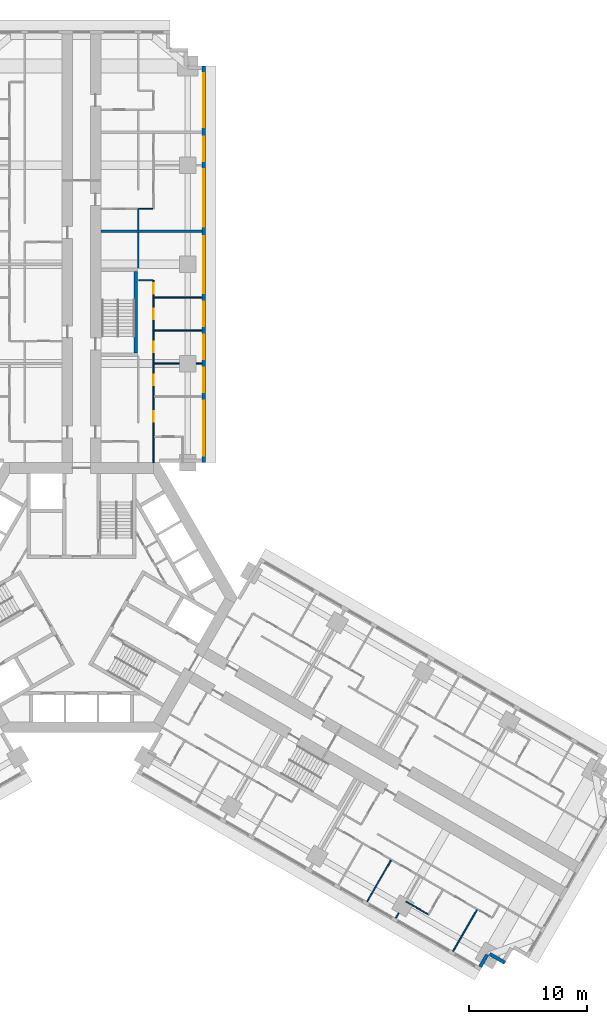
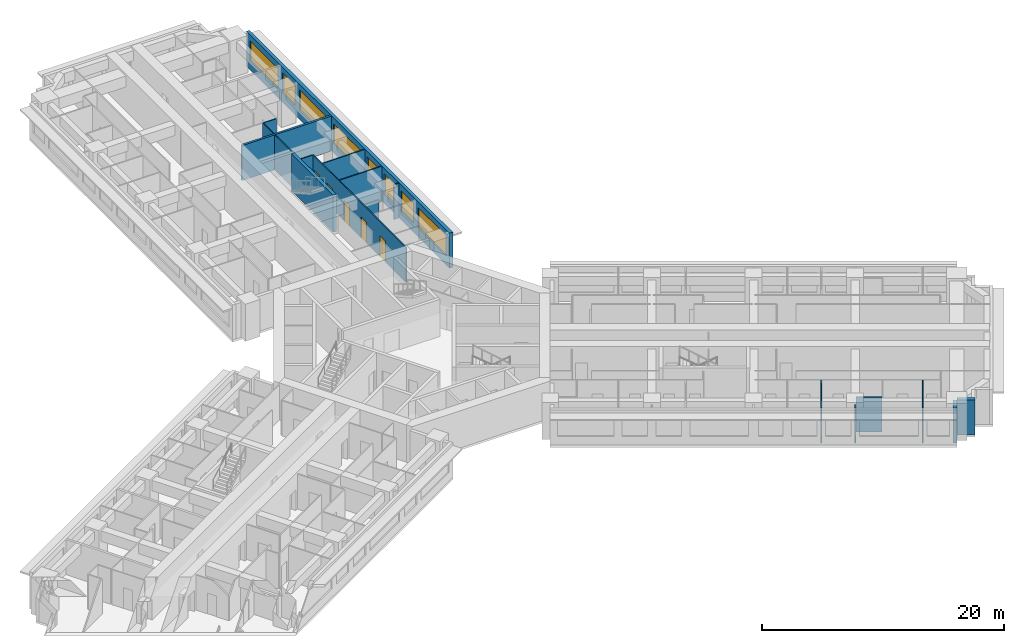
# One storey, part 10 of 15: 18 walls, 8 windows, 5 doors, 13 openings.
"""IFC4 building model written with IfcOpenShell, lengths in metres."""

import ifcopenshell
import ifcopenshell.guid

model = None  # the IFC model being written
_history = None  # IfcOwnerHistory: only IFC2X3 demands one
_inside = {}  # id of a spatial element -> (the spatial element, [elements in it])
_under = {}  # id of a project, library or spatial element -> (it, [spatial elements below it])
_declared = {}  # id of a project -> (the project, [libraries it declares])
_typed = {}  # id of a type object -> (the type object, [elements of that type])
_made_of = {}  # id of a material, layer set ... -> (it, [elements and type objects made of it])


def new_model(schema):
    """Start an empty IFC model of exactly this schema.

    Asked for "IFC4X3", IfcOpenShell would pick the latest addendum, in which some entities
    have other attributes; the version numbers below select the first issue.
    IFC2X3 requires an IfcOwnerHistory on every rooted entity: one is made here for all.
    """
    global model, _history
    if schema == "IFC4X3":
        model = ifcopenshell.file(schema_version=(4, 3, 0, 0))
    else:
        model = ifcopenshell.file(schema=schema)
    _inside.clear()
    _under.clear()
    _declared.clear()
    _typed.clear()
    _made_of.clear()
    _history = None
    if model.schema == "IFC2X3":
        org = make("IfcOrganization", Name="unknown")
        user = make(
            "IfcPersonAndOrganization",
            ThePerson=make("IfcPerson", FamilyName="unknown"),
            TheOrganization=org,
        )
        app = make(
            "IfcApplication",
            ApplicationDeveloper=org,
            Version="unknown",
            ApplicationFullName="unknown",
            ApplicationIdentifier="unknown",
        )
        _history = make(
            "IfcOwnerHistory",
            OwningUser=user,
            OwningApplication=app,
            ChangeAction="ADDED",
            CreationDate=0,
        )
    return model


def make(cls, **values):
    """One entity of the class cls with the attributes given. An attribute that is None is left unset."""
    return model.create_entity(
        cls, **{name: value for name, value in values.items() if value is not None}
    )


def rooted(cls, **values):
    """An entity with a GlobalId (a new one), such as an element, a storey or a relation."""
    return make(cls, GlobalId=ifcopenshell.guid.new(), OwnerHistory=_history, **values)


def si_unit(unit_type, name, prefix=None):
    """IfcSIUnit, for example si_unit("LENGTHUNIT", "METRE", prefix="MILLI")."""
    return make("IfcSIUnit", UnitType=unit_type, Prefix=prefix, Name=name)


def assignment(units):
    """IfcUnitAssignment: the units of a project."""
    return None if units is None else make("IfcUnitAssignment", Units=units)


def point(xyz):
    """IfcCartesianPoint."""
    return None if xyz is None else make("IfcCartesianPoint", Coordinates=xyz)


def direction(xyz):
    """IfcDirection."""
    return None if xyz is None else make("IfcDirection", DirectionRatios=xyz)


def frame(location, z_axis=None, x_axis=None):
    """IfcAxis2Placement3D, a coordinate frame: its origin and axes. An axis left out is left unset."""
    return make(
        "IfcAxis2Placement3D",
        Location=point(location),
        Axis=direction(z_axis),
        RefDirection=direction(x_axis),
    )


def frame_2d(location, x_axis=None):
    """IfcAxis2Placement2D, a coordinate frame in the plane: its origin and x axis."""
    return make(
        "IfcAxis2Placement2D", Location=point(location), RefDirection=direction(x_axis)
    )


def origin():
    """The frame at (0, 0, 0) with its axes left unset."""
    return frame((0.0, 0.0, 0.0))


def place(relative_to, where):
    """IfcLocalPlacement: puts the frame where relative to a parent placement (None: the world)."""
    return make(
        "IfcLocalPlacement", PlacementRelTo=relative_to, RelativePlacement=where
    )


def context(
    kind, dimensions, precision=None, world=None, true_north=None, identifier=None
):
    """IfcGeometricRepresentationContext, for example the 3D "Model" context."""
    return make(
        "IfcGeometricRepresentationContext",
        ContextIdentifier=identifier,
        ContextType=kind,
        CoordinateSpaceDimension=dimensions,
        Precision=precision,
        WorldCoordinateSystem=world,
        TrueNorth=true_north,
    )


def subcontext(parent, identifier, kind, view, scale=None):
    """IfcGeometricRepresentationSubContext, for example "Body" below "Model"."""
    return make(
        "IfcGeometricRepresentationSubContext",
        ContextIdentifier=identifier,
        ContextType=kind,
        ParentContext=parent,
        TargetScale=scale,
        TargetView=view,
    )


def project(units=None, contexts=None):
    """IfcProject with its units and contexts."""
    return rooted(
        "IfcProject",
        Name="project",
        RepresentationContexts=contexts,
        UnitsInContext=assignment(units),
    )


def spatial(cls, under=None, at=None, **own):
    """A site, building, storey or space (cls), placed at a placement, below another one or the project."""
    s = rooted(cls, ObjectPlacement=at, **own)
    if under is not None:
        _under.setdefault(under.id(), (under, []))[1].append(s)
    return s


def profile(cls, at=None, kind="AREA", **sizes):
    """A parametric profile (cls). Its sizes go by their IFC names, for example OverallWidth=200.0."""
    return make(cls, ProfileType=kind, Position=at, **sizes)


def rectangle(**sizes):
    """IfcRectangleProfileDef."""
    return profile("IfcRectangleProfileDef", **sizes)


def extrude(swept, where, along, depth):
    """IfcExtrudedAreaSolid: the profile swept, set in the frame where, extruded along a direction by depth."""
    return make(
        "IfcExtrudedAreaSolid",
        SweptArea=swept,
        Position=where,
        ExtrudedDirection=direction(along),
        Depth=depth,
    )


def shape(context_of_items, identifier, shape_type, items):
    """IfcShapeRepresentation: the items that make up one representation, for example the "Body"."""
    return make(
        "IfcShapeRepresentation",
        ContextOfItems=context_of_items,
        RepresentationIdentifier=identifier,
        RepresentationType=shape_type,
        Items=items,
    )


def material(Name=None, Category=None):
    """IfcMaterial."""
    return make("IfcMaterial", Name=Name, Category=Category)


def layer(
    of_material, thickness, ventilated=None, Name=None, Category=None, Priority=None
):
    """IfcMaterialLayer: one layer of a wall or slab, of a material (None: an air gap)."""
    return make(
        "IfcMaterialLayer",
        Material=of_material,
        LayerThickness=thickness,
        IsVentilated=ventilated,
        Name=Name,
        Category=Category,
        Priority=Priority,
    )


def layer_set(layers, Name=None):
    """IfcMaterialLayerSet."""
    return make("IfcMaterialLayerSet", MaterialLayers=layers, LayerSetName=Name)


def made_of(thing, what):
    """Note that an element or type object is made of a material, layer set ...; save() writes the relation."""
    if what is not None:
        _made_of.setdefault(what.id(), (what, []))[1].append(thing)
    return thing


def type_object(cls, material=None, **own):
    """A type object (cls), such as IfcWallType, which elements share."""
    return made_of(rooted(cls, **own), material)


def element(
    cls,
    number,
    at=None,
    inside=None,
    cuts=None,
    type_object=None,
    material=None,
    context=None,
    identifier="Body",
    shape_type=None,
    held_by="IfcProductDefinitionShape",
    body=None,
    shapes=None,
    **own,
):
    """One element of the class cls, such as IfcWall. Its Tag is "e" and its number.

    at: its placement. inside: the storey or other place that contains it. cuts: it is an
    opening in that element (IfcRelVoidsElement). A single representation is given by context,
    identifier, shape_type and body (its items); several are given by shapes. held_by: the class
    of the entity that holds the representations. save() writes the other relations.
    """
    e = rooted(cls, Tag="e%d" % number, ObjectPlacement=at, **own)
    if body is not None:
        shapes = [shape(context, identifier, shape_type, body)]
    if shapes is not None:
        e.Representation = make(held_by, Representations=shapes)
    if inside is not None:
        _inside.setdefault(inside.id(), (inside, []))[1].append(e)
    if cuts is not None:
        rooted(
            "IfcRelVoidsElement", RelatingBuildingElement=cuts, RelatedOpeningElement=e
        )
    if type_object is not None:
        _typed.setdefault(type_object.id(), (type_object, []))[1].append(e)
    return made_of(e, material)


def fill(opening, filler):
    """IfcRelFillsElement: the door or window that sits in an opening."""
    return rooted(
        "IfcRelFillsElement",
        RelatingOpeningElement=opening,
        RelatedBuildingElement=filler,
    )


def aggregate(whole, parts):
    """IfcRelAggregates: a whole, such as a stair, and the parts it consists of."""
    return rooted("IfcRelAggregates", RelatingObject=whole, RelatedObjects=parts)


def save(model, path):
    """Write the relations noted so far, then the file.

    IfcRelAggregates (storeys below a building ...), IfcRelContainedInSpatialStructure (elements
    in a storey), IfcRelDefinesByType, IfcRelAssociatesMaterial and IfcRelDeclares: one each for
    every whole, place, type object, material and project.
    """
    for whole, parts in _under.values():
        aggregate(whole, parts)
    for where, things in _inside.values():
        rooted(
            "IfcRelContainedInSpatialStructure",
            RelatedElements=things,
            RelatingStructure=where,
        )
    for kind, things in _typed.values():
        rooted("IfcRelDefinesByType", RelatedObjects=things, RelatingType=kind)
    for what, things in _made_of.values():
        rooted("IfcRelAssociatesMaterial", RelatedObjects=things, RelatingMaterial=what)
    for by, libraries in _declared.values():
        rooted("IfcRelDeclares", RelatingContext=by, RelatedDefinitions=libraries)
    model.write(path)


model = new_model("IFC4")

# Units and contexts
model_context = context("Model", 3, precision=1e-05, world=origin(), true_north=direction((0.0, 1.0)))
body_context = subcontext(model_context, "Body", "Model", "MODEL_VIEW")
ifc_project = project(units=[si_unit("LENGTHUNIT", "METRE"), si_unit("AREAUNIT", "SQUARE_METRE"), si_unit("VOLUMEUNIT", "CUBIC_METRE"), si_unit("PLANEANGLEUNIT", "RADIAN"), si_unit("MASSUNIT", "GRAM", prefix="KILO")], contexts=[model_context])

# Site, building, storey
site_placement = place(None, origin())
site = spatial("IfcSite", under=ifc_project, at=site_placement, CompositionType="ELEMENT")
building_placement = place(site_placement, origin())
building = spatial("IfcBuilding", under=site, at=building_placement, Name="Impinga Residences", CompositionType="ELEMENT")
storey_placement = place(building_placement, frame((0.0, 0.0, 86.0)))
storey = spatial("IfcBuildingStorey", under=building, at=storey_placement, Name="L21", CompositionType="ELEMENT", Elevation=86.0)

# Wall, openings, windows
ifc_material_1 = material(Name="Terracotta rainscreen on blockwork", Category="masonry")
ifc_layer_1 = layer(ifc_material_1, 0.300048828125)
ifc_layer_set_1 = layer_set([ifc_layer_1], Name="EW1 external wall, terracotta rainscreen on blockwork 300")
wall_type_1 = type_object("IfcWallType", Name="EW1 external wall, terracotta rainscreen on blockwork 300", PredefinedType="SOLIDWALL", material=ifc_layer_set_1)
wall_1_placement = place(storey_placement, frame((10.35009765625, 45.031494140625, 0.0), z_axis=(0.0, 0.0, 1.0), x_axis=(0.0, -1.0, 0.0)))
wall_1 = element("IfcWall", 1, at=wall_1_placement, inside=storey, type_object=wall_type_1, Name="External wall EW1 L21", PredefinedType="SOLIDWALL", context=body_context, shape_type="SweptSolid", body=[
    extrude(rectangle(XDim=33.599853515625, YDim=0.300048828125, at=frame_2d((16.7998046875, 0.0))), origin(), (0.0, 0.0, 1.0), 3.530029296875),
])
opening_1_placement = place(wall_1_placement, frame((0.60009765625, 0.0, 0.89990234375)))
opening_1 = element("IfcOpeningElement", 2, at=opening_1_placement, cuts=wall_1, Name="Opening W3", PredefinedType="OPENING", context=body_context, shape_type="SweptSolid", body=[
    extrude(rectangle(XDim=4.60009765625, YDim=2.050048828125, at=frame_2d((2.300048828125, 1.02490234375))), frame((0.0, 0.159912109375, 0.0), z_axis=(0.0, -1.0, 0.0), x_axis=(1.0, 0.0, 0.0)), (0.0, 0.0, 1.0), 0.320068359375),
])
opening_2_placement = place(wall_1_placement, frame((6.0, 0.0, 0.89990234375)))
opening_2 = element("IfcOpeningElement", 3, at=opening_2_placement, cuts=wall_1, Name="Opening W14", PredefinedType="OPENING", context=body_context, shape_type="SweptSolid", body=[
    extrude(rectangle(XDim=2.050048828125, YDim=2.050048828125, at=frame_2d((1.02490234375, 1.02490234375))), frame((0.0, 0.159912109375, 0.0), z_axis=(0.0, -1.0, 0.0), x_axis=(1.0, 0.0, 0.0)), (0.0, 0.0, 1.0), 0.320068359375),
])
opening_3_placement = place(wall_1_placement, frame((8.75, 0.0, 0.89990234375)))
opening_3 = element("IfcOpeningElement", 4, at=opening_3_placement, cuts=wall_1, Name="Opening W6", PredefinedType="OPENING", context=body_context, shape_type="SweptSolid", body=[
    extrude(rectangle(XDim=4.85009765625, YDim=2.050048828125, at=frame_2d((2.425048828125, 1.02490234375))), frame((0.0, 0.159912109375, 0.0), z_axis=(0.0, -1.0, 0.0), x_axis=(1.0, 0.0, 0.0)), (0.0, 0.0, 1.0), 0.320068359375),
])
opening_4_placement = place(wall_1_placement, frame((14.39990234375, 0.0, 0.89990234375)))
opening_4 = element("IfcOpeningElement", 5, at=opening_4_placement, cuts=wall_1, Name="Opening W6", PredefinedType="OPENING", context=body_context, shape_type="SweptSolid", body=[
    extrude(rectangle(XDim=4.85009765625, YDim=2.050048828125, at=frame_2d((2.425048828125, 1.02490234375))), frame((0.0, 0.159912109375, 0.0), z_axis=(0.0, -1.0, 0.0), x_axis=(1.0, 0.0, 0.0)), (0.0, 0.0, 1.0), 0.320068359375),
])
opening_5_placement = place(wall_1_placement, frame((19.949951171875, 0.0, 0.89990234375)))
opening_5 = element("IfcOpeningElement", 6, at=opening_5_placement, cuts=wall_1, Name="Opening W9", PredefinedType="OPENING", context=body_context, shape_type="SweptSolid", body=[
    extrude(rectangle(XDim=2.10009765625, YDim=2.050048828125, at=frame_2d((1.050048828125, 1.02490234375))), frame((0.0, 0.159912109375, 0.0), z_axis=(0.0, -1.0, 0.0), x_axis=(1.0, 0.0, 0.0)), (0.0, 0.0, 1.0), 0.320068359375),
])
opening_6_placement = place(wall_1_placement, frame((22.75, 0.0, 0.89990234375)))
opening_6 = element("IfcOpeningElement", 7, at=opening_6_placement, cuts=wall_1, Name="Opening W9", PredefinedType="OPENING", context=body_context, shape_type="SweptSolid", body=[
    extrude(rectangle(XDim=2.10009765625, YDim=2.050048828125, at=frame_2d((1.050048828125, 1.02490234375))), frame((0.0, 0.159912109375, 0.0), z_axis=(0.0, -1.0, 0.0), x_axis=(1.0, 0.0, 0.0)), (0.0, 0.0, 1.0), 0.320068359375),
])
opening_7_placement = place(wall_1_placement, frame((25.550048828125, 0.0, 0.89990234375)))
opening_7 = element("IfcOpeningElement", 8, at=opening_7_placement, cuts=wall_1, Name="Opening W9", PredefinedType="OPENING", context=body_context, shape_type="SweptSolid", body=[
    extrude(rectangle(XDim=2.10009765625, YDim=2.050048828125, at=frame_2d((1.050048828125, 1.02490234375))), frame((0.0, 0.159912109375, 0.0), z_axis=(0.0, -1.0, 0.0), x_axis=(1.0, 0.0, 0.0)), (0.0, 0.0, 1.0), 0.320068359375),
])
opening_8_placement = place(wall_1_placement, frame((28.35009765625, 0.0, 0.89990234375)))
opening_8 = element("IfcOpeningElement", 9, at=opening_8_placement, cuts=wall_1, Name="Opening W10", PredefinedType="OPENING", context=body_context, shape_type="SweptSolid", body=[
    extrude(rectangle(XDim=4.64990234375, YDim=2.050048828125, at=frame_2d((2.324951171875, 1.02490234375))), frame((0.0, 0.159912109375, 0.0), z_axis=(0.0, -1.0, 0.0), x_axis=(1.0, 0.0, 0.0)), (0.0, 0.0, 1.0), 0.320068359375),
])
ifc_material_2 = material(Name="Aluminium window, clear double glazing", Category="aluminium")
window_type_1 = type_object("IfcWindowType", Name="W10 ribbon window 4650x2050", PartitioningType="SINGLE_PANEL", PredefinedType="WINDOW", material=ifc_material_2)
window_1_placement = place(opening_8_placement, origin())
window_1 = element("IfcWindow", 10, at=window_1_placement, inside=storey, type_object=window_type_1, Name="Window L21", OverallHeight=2.050048828125, OverallWidth=4.64990234375, PartitioningType="SINGLE_PANEL", PredefinedType="WINDOW", context=body_context, shape_type="SweptSolid", body=[
    extrude(rectangle(XDim=4.64990234375, YDim=2.050048828125, at=frame_2d((2.324951171875, 1.02490234375))), frame((0.0, 0.030029296875, 0.0), z_axis=(0.0, -1.0, 0.0), x_axis=(1.0, 0.0, 0.0)), (0.0, 0.0, 1.0), 0.06005859375),
])
fill(opening_8, window_1)
window_type_2 = type_object("IfcWindowType", Name="W14 ribbon window 2050x2050", PartitioningType="SINGLE_PANEL", PredefinedType="WINDOW", material=ifc_material_2)
window_2_placement = place(opening_2_placement, origin())
window_2 = element("IfcWindow", 11, at=window_2_placement, inside=storey, type_object=window_type_2, Name="Window L21", OverallHeight=2.050048828125, OverallWidth=2.050048828125, PartitioningType="SINGLE_PANEL", PredefinedType="WINDOW", context=body_context, shape_type="SweptSolid", body=[
    extrude(rectangle(XDim=2.050048828125, YDim=2.050048828125, at=frame_2d((1.02490234375, 1.02490234375))), frame((0.0, 0.030029296875, 0.0), z_axis=(0.0, -1.0, 0.0), x_axis=(1.0, 0.0, 0.0)), (0.0, 0.0, 1.0), 0.06005859375),
])
fill(opening_2, window_2)
window_type_3 = type_object("IfcWindowType", Name="W3 ribbon window 4600x2050", PartitioningType="SINGLE_PANEL", PredefinedType="WINDOW", material=ifc_material_2)
window_3_placement = place(opening_1_placement, origin())
window_3 = element("IfcWindow", 12, at=window_3_placement, inside=storey, type_object=window_type_3, Name="Window L21", OverallHeight=2.050048828125, OverallWidth=4.60009765625, PartitioningType="SINGLE_PANEL", PredefinedType="WINDOW", context=body_context, shape_type="SweptSolid", body=[
    extrude(rectangle(XDim=4.60009765625, YDim=2.050048828125, at=frame_2d((2.300048828125, 1.02490234375))), frame((0.0, 0.030029296875, 0.0), z_axis=(0.0, -1.0, 0.0), x_axis=(1.0, 0.0, 0.0)), (0.0, 0.0, 1.0), 0.06005859375),
])
fill(opening_1, window_3)
window_type_4 = type_object("IfcWindowType", Name="W6 ribbon window 4850x2050", PartitioningType="SINGLE_PANEL", PredefinedType="WINDOW", material=ifc_material_2)
window_4_placement = place(opening_3_placement, origin())
window_4 = element("IfcWindow", 13, at=window_4_placement, inside=storey, type_object=window_type_4, Name="Window L21", OverallHeight=2.050048828125, OverallWidth=4.85009765625, PartitioningType="SINGLE_PANEL", PredefinedType="WINDOW", context=body_context, shape_type="SweptSolid", body=[
    extrude(rectangle(XDim=4.85009765625, YDim=2.050048828125, at=frame_2d((2.425048828125, 1.02490234375))), frame((0.0, 0.030029296875, 0.0), z_axis=(0.0, -1.0, 0.0), x_axis=(1.0, 0.0, 0.0)), (0.0, 0.0, 1.0), 0.06005859375),
])
fill(opening_3, window_4)
window_5_placement = place(opening_4_placement, origin())
window_5 = element("IfcWindow", 14, at=window_5_placement, inside=storey, type_object=window_type_4, Name="Window L21", OverallHeight=2.050048828125, OverallWidth=4.85009765625, PartitioningType="SINGLE_PANEL", PredefinedType="WINDOW", context=body_context, shape_type="SweptSolid", body=[
    extrude(rectangle(XDim=4.85009765625, YDim=2.050048828125, at=frame_2d((2.425048828125, 1.02490234375))), frame((0.0, 0.030029296875, 0.0), z_axis=(0.0, -1.0, 0.0), x_axis=(1.0, 0.0, 0.0)), (0.0, 0.0, 1.0), 0.06005859375),
])
fill(opening_4, window_5)
window_type_5 = type_object("IfcWindowType", Name="W9 ribbon window 2100x2050", PartitioningType="SINGLE_PANEL", PredefinedType="WINDOW", material=ifc_material_2)
window_6_placement = place(opening_5_placement, origin())
window_6 = element("IfcWindow", 15, at=window_6_placement, inside=storey, type_object=window_type_5, Name="Window L21", OverallHeight=2.050048828125, OverallWidth=2.10009765625, PartitioningType="SINGLE_PANEL", PredefinedType="WINDOW", context=body_context, shape_type="SweptSolid", body=[
    extrude(rectangle(XDim=2.10009765625, YDim=2.050048828125, at=frame_2d((1.050048828125, 1.02490234375))), frame((0.0, 0.030029296875, 0.0), z_axis=(0.0, -1.0, 0.0), x_axis=(1.0, 0.0, 0.0)), (0.0, 0.0, 1.0), 0.06005859375),
])
fill(opening_5, window_6)
window_7_placement = place(opening_6_placement, origin())
window_7 = element("IfcWindow", 16, at=window_7_placement, inside=storey, type_object=window_type_5, Name="Window L21", OverallHeight=2.050048828125, OverallWidth=2.10009765625, PartitioningType="SINGLE_PANEL", PredefinedType="WINDOW", context=body_context, shape_type="SweptSolid", body=[
    extrude(rectangle(XDim=2.10009765625, YDim=2.050048828125, at=frame_2d((1.050048828125, 1.02490234375))), frame((0.0, 0.030029296875, 0.0), z_axis=(0.0, -1.0, 0.0), x_axis=(1.0, 0.0, 0.0)), (0.0, 0.0, 1.0), 0.06005859375),
])
fill(opening_6, window_7)
window_8_placement = place(opening_7_placement, origin())
window_8 = element("IfcWindow", 17, at=window_8_placement, inside=storey, type_object=window_type_5, Name="Window L21", OverallHeight=2.050048828125, OverallWidth=2.10009765625, PartitioningType="SINGLE_PANEL", PredefinedType="WINDOW", context=body_context, shape_type="SweptSolid", body=[
    extrude(rectangle(XDim=2.10009765625, YDim=2.050048828125, at=frame_2d((1.050048828125, 1.02490234375))), frame((0.0, 0.030029296875, 0.0), z_axis=(0.0, -1.0, 0.0), x_axis=(1.0, 0.0, 0.0)), (0.0, 0.0, 1.0), 0.06005859375),
])
fill(opening_7, window_8)

# Walls
wall_2_placement = place(storey_placement, frame((35.87255859375, -30.93017578125, 0.0), z_axis=(0.0, 0.0, 1.0), x_axis=(-0.866031096941, 0.499990139034, 0.0)))
element("IfcWall", 18, at=wall_2_placement, inside=storey, type_object=wall_type_1, Name="External wall EW1 L21", PredefinedType="SOLIDWALL", context=body_context, shape_type="SweptSolid", body=[
    extrude(rectangle(XDim=1.5, YDim=0.300048828125, at=frame_2d((0.75, 0.0))), origin(), (0.0, 0.0, 1.0), 3.530029296875),
])
wall_3_placement = place(storey_placement, frame((34.365966796875, -30.2392578125, 0.0), z_axis=(0.0, 0.0, 1.0), x_axis=(-0.499940577336, -0.866059708757, 0.0)))
element("IfcWall", 19, at=wall_3_placement, inside=storey, type_object=wall_type_1, Name="External wall EW1 L21", PredefinedType="SOLIDWALL", context=body_context, shape_type="SweptSolid", body=[
    extrude(rectangle(XDim=1.195068359375, YDim=0.300048828125, at=frame_2d((0.59765625, 0.0))), origin(), (0.0, 0.0, 1.0), 3.530029296875),
])
ifc_material_3 = material(Name="Gypsum board on steel studs", Category="steel")
ifc_layer_2 = layer(ifc_material_3, 0.10009765625)
ifc_layer_set_2 = layer_set([ifc_layer_2], Name="Gypsum board on steel studs")
wall_type_2 = type_object("IfcWallType", Name="IP1 partition 100", PredefinedType="PARTITIONING", material=ifc_layer_set_2)
wall_4_placement = place(storey_placement, frame((4.800048828125, 27.931640625, 0.0), z_axis=(0.0, 0.0, 1.0), x_axis=(0.0, 1.0, 0.0)))
element("IfcWall", 20, at=wall_4_placement, inside=storey, type_object=wall_type_2, Name="Partition L21-NF1:DIV2", PredefinedType="PARTITIONING", context=body_context, shape_type="SweptSolid", body=[
    extrude(rectangle(XDim=3.0, YDim=0.10009765625, at=frame_2d((1.5, 0.0))), origin(), (0.0, 0.0, 1.0), 3.530029296875),
])

# Wall, openings, doors
wall_5_placement = place(storey_placement, frame((6.10009765625, 11.431640625, 0.0), z_axis=(0.0, 0.0, 1.0), x_axis=(0.0, 1.0, 0.0)))
wall_5 = element("IfcWall", 21, at=wall_5_placement, inside=storey, type_object=wall_type_2, Name="Partition L21-NF1:STRIP", PredefinedType="PARTITIONING", context=body_context, shape_type="SweptSolid", body=[
    extrude(rectangle(XDim=15.449951171875, YDim=0.10009765625, at=frame_2d((7.72509765625, 0.0))), origin(), (0.0, 0.0, 1.0), 3.530029296875),
])
opening_9_placement = place(wall_5_placement, frame((3.449951171875, 0.0, 0.0)))
opening_9 = element("IfcOpeningElement", 22, at=opening_9_placement, cuts=wall_5, Name="Opening D2", PredefinedType="OPENING", context=body_context, shape_type="SweptSolid", body=[
    extrude(rectangle(XDim=0.89990234375, YDim=2.10009765625, at=frame_2d((0.449951171875, 1.050048828125))), frame((0.0, 0.06005859375, 0.0), z_axis=(0.0, -1.0, 0.0), x_axis=(1.0, 0.0, 0.0)), (0.0, 0.0, 1.0), 0.1201171875),
])
opening_10_placement = place(wall_5_placement, frame((6.550048828125, 0.0, 0.0)))
opening_10 = element("IfcOpeningElement", 23, at=opening_10_placement, cuts=wall_5, Name="Opening D2", PredefinedType="OPENING", context=body_context, shape_type="SweptSolid", body=[
    extrude(rectangle(XDim=0.89990234375, YDim=2.10009765625, at=frame_2d((0.449951171875, 1.050048828125))), frame((0.0, 0.06005859375, 0.0), z_axis=(0.0, -1.0, 0.0), x_axis=(1.0, 0.0, 0.0)), (0.0, 0.0, 1.0), 0.1201171875),
])
opening_11_placement = place(wall_5_placement, frame((9.35009765625, 0.0, 0.0)))
opening_11 = element("IfcOpeningElement", 24, at=opening_11_placement, cuts=wall_5, Name="Opening D2", PredefinedType="OPENING", context=body_context, shape_type="SweptSolid", body=[
    extrude(rectangle(XDim=0.89990234375, YDim=2.10009765625, at=frame_2d((0.449951171875, 1.050048828125))), frame((0.0, 0.06005859375, 0.0), z_axis=(0.0, -1.0, 0.0), x_axis=(1.0, 0.0, 0.0)), (0.0, 0.0, 1.0), 0.1201171875),
])
opening_12_placement = place(wall_5_placement, frame((12.14990234375, 0.0, 0.0)))
opening_12 = element("IfcOpeningElement", 25, at=opening_12_placement, cuts=wall_5, Name="Opening D2", PredefinedType="OPENING", context=body_context, shape_type="SweptSolid", body=[
    extrude(rectangle(XDim=0.89990234375, YDim=2.10009765625, at=frame_2d((0.449951171875, 1.050048828125))), frame((0.0, 0.06005859375, 0.0), z_axis=(0.0, -1.0, 0.0), x_axis=(1.0, 0.0, 0.0)), (0.0, 0.0, 1.0), 0.1201171875),
])
opening_13_placement = place(wall_5_placement, frame((14.300048828125, 0.0, 0.0)))
opening_13 = element("IfcOpeningElement", 26, at=opening_13_placement, cuts=wall_5, Name="Opening D2", PredefinedType="OPENING", context=body_context, shape_type="SweptSolid", body=[
    extrude(rectangle(XDim=0.89990234375, YDim=2.10009765625, at=frame_2d((0.449951171875, 1.050048828125))), frame((0.0, 0.06005859375, 0.0), z_axis=(0.0, -1.0, 0.0), x_axis=(1.0, 0.0, 0.0)), (0.0, 0.0, 1.0), 0.1201171875),
])
ifc_material_4 = material(Name="Timber door set", Category="wood")
door_type = type_object("IfcDoorType", Name="D2 internal door 900x2100", OperationType="SINGLE_SWING_LEFT", PredefinedType="DOOR", material=ifc_material_4)
door_1_placement = place(opening_9_placement, origin())
door_1 = element("IfcDoor", 27, at=door_1_placement, inside=storey, type_object=door_type, Name="Apartment L21-NF1 room door", OperationType="SINGLE_SWING_LEFT", OverallHeight=2.10009765625, OverallWidth=0.89990234375, PredefinedType="DOOR", context=body_context, shape_type="SweptSolid", body=[
    extrude(rectangle(XDim=0.89990234375, YDim=2.10009765625, at=frame_2d((0.449951171875, 1.050048828125))), frame((0.0, 0.02490234375, 0.0), z_axis=(0.0, -1.0, 0.0), x_axis=(1.0, 0.0, 0.0)), (0.0, 0.0, 1.0), 0.050048828125),
])
fill(opening_9, door_1)
door_2_placement = place(opening_10_placement, origin())
door_2 = element("IfcDoor", 28, at=door_2_placement, inside=storey, type_object=door_type, Name="Apartment L21-NF1 room door", OperationType="SINGLE_SWING_LEFT", OverallHeight=2.10009765625, OverallWidth=0.89990234375, PredefinedType="DOOR", context=body_context, shape_type="SweptSolid", body=[
    extrude(rectangle(XDim=0.89990234375, YDim=2.10009765625, at=frame_2d((0.449951171875, 1.050048828125))), frame((0.0, 0.02490234375, 0.0), z_axis=(0.0, -1.0, 0.0), x_axis=(1.0, 0.0, 0.0)), (0.0, 0.0, 1.0), 0.050048828125),
])
fill(opening_10, door_2)
door_3_placement = place(opening_11_placement, origin())
door_3 = element("IfcDoor", 29, at=door_3_placement, inside=storey, type_object=door_type, Name="Apartment L21-NF1 room door", OperationType="SINGLE_SWING_RIGHT", OverallHeight=2.10009765625, OverallWidth=0.89990234375, PredefinedType="DOOR", context=body_context, shape_type="SweptSolid", body=[
    extrude(rectangle(XDim=0.89990234375, YDim=2.10009765625, at=frame_2d((0.449951171875, 1.050048828125))), frame((0.0, 0.02490234375, 0.0), z_axis=(0.0, -1.0, 0.0), x_axis=(1.0, 0.0, 0.0)), (0.0, 0.0, 1.0), 0.050048828125),
])
fill(opening_11, door_3)
door_4_placement = place(opening_12_placement, origin())
door_4 = element("IfcDoor", 30, at=door_4_placement, inside=storey, type_object=door_type, Name="Apartment L21-NF1 room door", OperationType="SINGLE_SWING_RIGHT", OverallHeight=2.10009765625, OverallWidth=0.89990234375, PredefinedType="DOOR", context=body_context, shape_type="SweptSolid", body=[
    extrude(rectangle(XDim=0.89990234375, YDim=2.10009765625, at=frame_2d((0.449951171875, 1.050048828125))), frame((0.0, 0.02490234375, 0.0), z_axis=(0.0, -1.0, 0.0), x_axis=(1.0, 0.0, 0.0)), (0.0, 0.0, 1.0), 0.050048828125),
])
fill(opening_12, door_4)
door_5_placement = place(opening_13_placement, origin())
door_5 = element("IfcDoor", 31, at=door_5_placement, inside=storey, type_object=door_type, Name="Apartment L21-NF1 room door", OperationType="SINGLE_SWING_RIGHT", OverallHeight=2.10009765625, OverallWidth=0.89990234375, PredefinedType="DOOR", context=body_context, shape_type="SweptSolid", body=[
    extrude(rectangle(XDim=0.89990234375, YDim=2.10009765625, at=frame_2d((0.449951171875, 1.050048828125))), frame((0.0, 0.02490234375, 0.0), z_axis=(0.0, -1.0, 0.0), x_axis=(1.0, 0.0, 0.0)), (0.0, 0.0, 1.0), 0.050048828125),
])
fill(opening_13, door_5)

# Walls
wall_6_placement = place(storey_placement, frame((4.85009765625, 26.881591796875, 0.0), z_axis=(0.0, 0.0, 1.0), x_axis=(1.0, 0.0, 0.0)))
element("IfcWall", 32, at=wall_6_placement, inside=storey, type_object=wall_type_2, Name="Partition L21-NF1:SE1", PredefinedType="PARTITIONING", context=body_context, shape_type="SweptSolid", body=[
    extrude(rectangle(XDim=1.199951171875, YDim=0.10009765625, at=frame_2d((0.60009765625, 0.0))), origin(), (0.0, 0.0, 1.0), 3.530029296875),
])
wall_7_placement = place(storey_placement, frame((6.14990234375, 19.83154296875, 0.0), z_axis=(0.0, 0.0, 1.0), x_axis=(1.0, 0.0, 0.0)))
element("IfcWall", 33, at=wall_7_placement, inside=storey, type_object=wall_type_2, Name="Partition L21-NF1:OB2", PredefinedType="PARTITIONING", context=body_context, shape_type="SweptSolid", body=[
    extrude(rectangle(XDim=2.150146484375, YDim=0.10009765625, at=frame_2d((1.0751953125, 0.0))), origin(), (0.0, 0.0, 1.0), 2.47998046875),
])
wall_8_placement = place(storey_placement, frame((9.699951171875, 19.83154296875, 0.0), z_axis=(0.0, 0.0, 1.0), x_axis=(1.0, 0.0, 0.0)))
element("IfcWall", 34, at=wall_8_placement, inside=storey, type_object=wall_type_2, Name="Partition L21-NF1:OB2b", PredefinedType="PARTITIONING", context=body_context, shape_type="SweptSolid", body=[
    extrude(rectangle(XDim=0.5, YDim=0.10009765625, at=frame_2d((0.25, 0.0))), origin(), (0.0, 0.0, 1.0), 3.530029296875),
])
for number, where, z_axis, x_axis, name in (
    (35, (6.14990234375, 22.631591796875, 0.0), (0.0, 0.0, 1.0), (1.0, 0.0, 0.0), "Partition L21-NF1:OB3"),
    (36, (6.14990234375, 25.431640625, 0.0), (0.0, 0.0, 1.0), (1.0, 0.0, 0.0), "Partition L21-NF1:OB4"),
):
    element("IfcWall", number, at=place(storey_placement, frame(where, z_axis=z_axis, x_axis=x_axis)), inside=storey, type_object=wall_type_2, Name=name, PredefinedType="PARTITIONING", context=body_context, shape_type="SweptSolid", body=[
        extrude(rectangle(XDim=4.050048828125, YDim=0.10009765625, at=frame_2d((2.02490234375, 0.0))), origin(), (0.0, 0.0, 1.0), 3.530029296875),
    ])
wall_9_placement = place(storey_placement, frame((4.800048828125, 31.131591796875, 0.0), z_axis=(0.0, 0.0, 1.0), x_axis=(0.0, 1.0, 0.0)))
element("IfcWall", 37, at=wall_9_placement, inside=storey, type_object=wall_type_2, Name="Partition L21-NF2:DIV0", PredefinedType="PARTITIONING", context=body_context, shape_type="SweptSolid", body=[
    extrude(rectangle(XDim=1.800048828125, YDim=0.10009765625, at=frame_2d((0.89990234375, 0.0))), origin(), (0.0, 0.0, 1.0), 3.530029296875),
])
wall_10_placement = place(storey_placement, frame((4.85009765625, 32.931640625, 0.0), z_axis=(0.0, 0.0, 1.0), x_axis=(1.0, 0.0, 0.0)))
element("IfcWall", 38, at=wall_10_placement, inside=storey, type_object=wall_type_2, Name="Partition L21-NF2:SE0", PredefinedType="PARTITIONING", context=body_context, shape_type="SweptSolid", body=[
    extrude(rectangle(XDim=1.199951171875, YDim=0.10009765625, at=frame_2d((0.60009765625, 0.0))), origin(), (0.0, 0.0, 1.0), 3.530029296875),
])
wall_11_placement = place(storey_placement, frame((26.223876953125, -22.241943359375, 0.0), z_axis=(0.0, 0.0, 1.0), x_axis=(-0.499990325971, -0.866030989016, 0.0)))
element("IfcWall", 39, at=wall_11_placement, inside=storey, type_object=wall_type_2, Name="Partition L21-EF2:OB2", PredefinedType="PARTITIONING", context=body_context, shape_type="SweptSolid", body=[
    extrude(rectangle(XDim=4.0498046875, YDim=0.10009765625, at=frame_2d((2.02490234375, 0.0))), origin(), (0.0, 0.0, 1.0), 3.530029296875),
])
wall_12_placement = place(storey_placement, frame((26.873779296875, -26.71630859375, 0.0), z_axis=(0.0, 0.0, 1.0), x_axis=(-0.500131122175, -0.865949687125, 0.0)))
element("IfcWall", 40, at=wall_12_placement, inside=storey, type_object=wall_type_2, Name="Partition L21-EF2:OB3b", PredefinedType="PARTITIONING", context=body_context, shape_type="SweptSolid", body=[
    extrude(rectangle(XDim=0.499755859375, YDim=0.10009765625, at=frame_2d((0.25, 0.0))), origin(), (0.0, 0.0, 1.0), 3.530029296875),
])
wall_13_placement = place(storey_placement, frame((33.49853515625, -26.44189453125, 0.0), z_axis=(0.0, 0.0, 1.0), x_axis=(-0.499990325971, -0.866030989016, 0.0)))
element("IfcWall", 41, at=wall_13_placement, inside=storey, type_object=wall_type_2, Name="Partition L21-EF2:OB4", PredefinedType="PARTITIONING", context=body_context, shape_type="SweptSolid", body=[
    extrude(rectangle(XDim=4.0498046875, YDim=0.10009765625, at=frame_2d((2.02490234375, 0.0))), origin(), (0.0, 0.0, 1.0), 3.530029296875),
])
wall_14_placement = place(storey_placement, frame((27.4921875, -25.745361328125, 0.0), z_axis=(0.0, 0.0, 1.0), x_axis=(0.866019166195, -0.500010803666, 0.0)))
element("IfcWall", 42, at=wall_14_placement, inside=storey, type_object=wall_type_2, Name="Partition L21-EF2:EN2", PredefinedType="PARTITIONING", context=body_context, shape_type="SweptSolid", body=[
    extrude(rectangle(XDim=2.14990234375, YDim=0.10009765625, at=frame_2d((1.074951171875, 0.0))), origin(), (0.0, 0.0, 1.0), 3.530029296875),
])
ifc_material_5 = material(Name="Concrete blockwork", Category="masonry")
ifc_layer_3 = layer(ifc_material_5, 0.199951171875)
ifc_layer_set_3 = layer_set([ifc_layer_3], Name="PW1 party wall between apartments 200")
wall_type_3 = type_object("IfcWallType", Name="PW1 party wall between apartments 200", PredefinedType="SOLIDWALL", material=ifc_layer_set_3)
wall_15_placement = place(storey_placement, frame((1.64990234375, 31.031494140625, 0.0), z_axis=(0.0, 0.0, 1.0), x_axis=(1.0, 0.0, 0.0)))
element("IfcWall", 43, at=wall_15_placement, inside=storey, type_object=wall_type_3, Name="Party wall between apartments L21-NF1:PARTY", PredefinedType="SOLIDWALL", context=body_context, shape_type="SweptSolid", body=[
    extrude(rectangle(XDim=8.550048828125, YDim=0.199951171875, at=frame_2d((4.27490234375, 0.0))), origin(), (0.0, 0.0, 1.0), 3.530029296875),
])
ifc_material_6 = material(Name="Concrete C60/75", Category="concrete")
ifc_layer_4 = layer(ifc_material_6, 0.300048828125)
ifc_layer_set_4 = layer_set([ifc_layer_4], Name="Concrete C60/75")
wall_type_4 = type_object("IfcWallType", Name="SE1 wing stair enclosure wall 300", PredefinedType="SOLIDWALL", material=ifc_layer_set_4)
wall_16_placement = place(storey_placement, frame((4.60009765625, 20.7314453125, 0.0), z_axis=(0.0, 0.0, 1.0), x_axis=(0.0, 1.0, 0.0)))
element("IfcWall", 44, at=wall_16_placement, inside=storey, type_object=wall_type_4, Name="Stair enclosure wall SE1 N OUT L21", PredefinedType="SOLIDWALL", context=body_context, shape_type="SweptSolid", body=[
    extrude(rectangle(XDim=6.900146484375, YDim=0.300048828125, at=frame_2d((3.4501953125, 0.0))), origin(), (0.0, 0.0, 1.0), 3.75),
])

save(model, "model.ifc")
